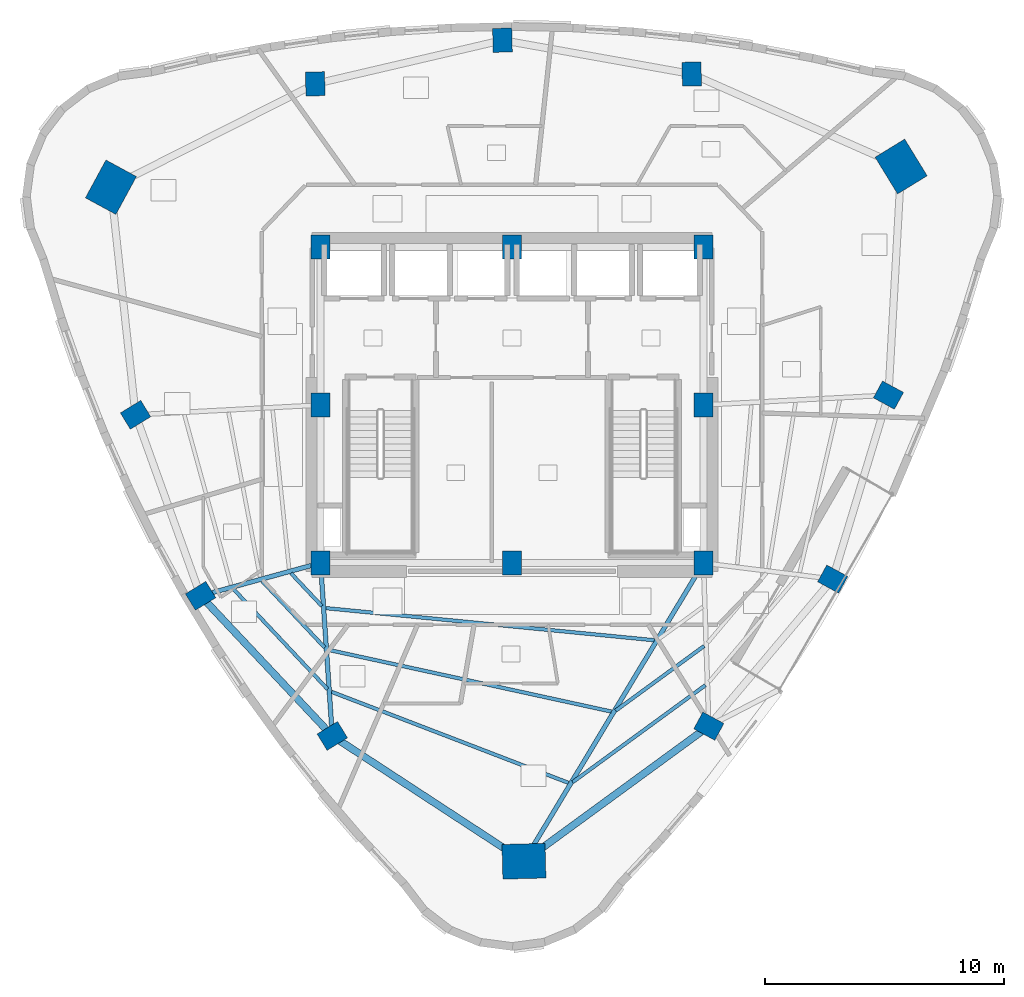
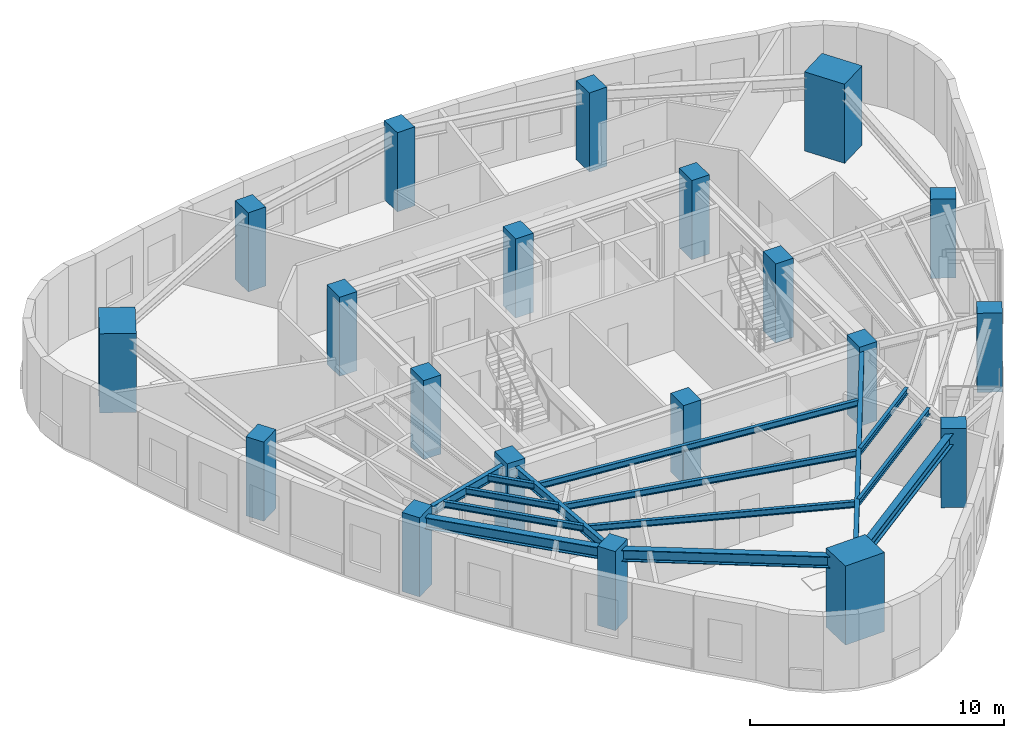
# One storey, part 1 of 12: 20 columns, 14 beams.
"""IFC4 building model written with IfcOpenShell, lengths in metres."""

from ifc_helpers import new_model, si_unit, direction, frame, origin, origin_2d, place, context, subcontext, project, spatial, rectangle, i_section, extrude, material, material_profile, profile_set, type_object, element, save


model = new_model("IFC4")

# Units and contexts
model_context = context("Model", 3, precision=1e-05, world=origin(), true_north=direction((0.0, 1.0)))
body_context = subcontext(model_context, "Body", "Model", "MODEL_VIEW")
ifc_project = project(units=[si_unit("LENGTHUNIT", "METRE"), si_unit("AREAUNIT", "SQUARE_METRE"), si_unit("VOLUMEUNIT", "CUBIC_METRE"), si_unit("PLANEANGLEUNIT", "RADIAN"), si_unit("MASSUNIT", "GRAM", prefix="KILO")], contexts=[model_context])

# Site, building, storey
site_placement = place(None, origin())
site = spatial("IfcSite", under=ifc_project, at=site_placement, CompositionType="ELEMENT")
building_placement = place(site_placement, origin())
building = spatial("IfcBuilding", under=site, at=building_placement, Name="Ndelora Gate Hotel", CompositionType="ELEMENT")
storey_placement = place(building_placement, frame((0.0, 0.0, 209.35009765625)))
storey = spatial("IfcBuildingStorey", under=building, at=storey_placement, Name="L52", CompositionType="ELEMENT", Elevation=209.35009765625)

# Columns
ifc_material_1 = material(Name="Concrete C50/60", Category="concrete")
ifc_material_profile_1 = material_profile(ifc_material_1, rectangle(XDim=0.800048828125, YDim=1.0, at=origin_2d()), Name="RC 1000x800")
ifc_profile_set_1 = profile_set([ifc_material_profile_1], Name="Concrete C50/60")
column_type_1 = type_object("IfcColumnType", Name="COL-CC-HI", PredefinedType="COLUMN", material=ifc_profile_set_1)
for number, where, z_axis, x_axis, name in (
    (1, (-8.0, -6.60009765625, 0.0), (0.0, 0.0, 1.0), (1.0, 0.0, 0.0), "L52 Core Column CC1"),
    (2, (0.0, -6.60009765625, 0.0), (0.0, 0.0, 1.0), (1.0, 0.0, 0.0), "L52 Core Column CC2"),
    (3, (8.0, -6.60009765625, 0.0), (0.0, 0.0, 1.0), (1.0, 0.0, 0.0), "L52 Core Column CC3"),
    (4, (8.0, 0.0, 0.0), (0.0, 0.0, 1.0), (1.0, 0.0, 0.0), "L52 Core Column CC4"),
    (5, (8.0, 6.60009765625, 0.0), (0.0, 0.0, 1.0), (1.0, 0.0, 0.0), "L52 Core Column CC5"),
    (6, (0.0, 6.60009765625, 0.0), (0.0, 0.0, 1.0), (1.0, 0.0, 0.0), "L52 Core Column CC6"),
    (7, (-8.0, 6.60009765625, 0.0), (0.0, 0.0, 1.0), (1.0, 0.0, 0.0), "L52 Core Column CC7"),
    (8, (-8.0, 0.0, 0.0), (0.0, 0.0, 1.0), (1.0, 0.0, 0.0), "L52 Core Column CC8"),
):
    element("IfcColumn", number, at=place(storey_placement, frame(where, z_axis=z_axis, x_axis=x_axis)), inside=storey, type_object=column_type_1, Name=name, PredefinedType="COLUMN", context=body_context, shape_type="SweptSolid", body=[
        extrude(rectangle(XDim=0.800048828125, YDim=1.0, at=origin_2d()), origin(), (0.0, 0.0, 1.0), 3.7998046875),
    ])
ifc_material_profile_2 = material_profile(ifc_material_1, rectangle(XDim=1.449951171875, YDim=1.800048828125, at=origin_2d()), Name="RC 1800x1450")
ifc_profile_set_2 = profile_set([ifc_material_profile_2], Name="Concrete C50/60")
column_type_2 = type_object("IfcColumnType", Name="COL-MC-Z3", PredefinedType="COLUMN", material=ifc_profile_set_2)
for number, where, z_axis, x_axis, name in (
    (9, (-16.759521484375, 9.099609375, 0.0), (0.0, 0.0, 1.0), (-0.878817112662, 0.47715876026, 0.0), "L52 Corner Mega-Column R1"),
    (10, (0.499267578125, -19.064208984375, 0.0), (0.0, 0.0, 1.0), (-0.026176948308, 0.999657324976, 0.0), "L52 Corner Mega-Column R5"),
    (11, (16.26025390625, 9.96435546875, 0.0), (0.0, 0.0, 1.0), (0.852640164354, 0.522498564716, 0.0), "L52 Corner Mega-Column R9"),
):
    element("IfcColumn", number, at=place(storey_placement, frame(where, z_axis=z_axis, x_axis=x_axis)), inside=storey, type_object=column_type_2, Name=name, PredefinedType="COLUMN", context=body_context, shape_type="SweptSolid", body=[
        extrude(rectangle(XDim=1.449951171875, YDim=1.800048828125, at=origin_2d()), origin(), (0.0, 0.0, 1.0), 3.7998046875),
    ])
ifc_material_profile_3 = material_profile(ifc_material_1, rectangle(XDim=0.800048828125, YDim=1.0, at=origin_2d()), Name="RC 1000x800")
ifc_profile_set_3 = profile_set([ifc_material_profile_3], Name="Concrete C50/60")
column_type_3 = type_object("IfcColumnType", Name="COL-PT-Z3", PredefinedType="COLUMN", material=ifc_profile_set_3)
for number, where, z_axis, x_axis, name in (
    (12, (-15.72998046875, -0.411865234375, 0.0), (0.0, 0.0, 1.0), (-0.522498564716, 0.852640164354, 0.0), "L52 Perimeter Tube Column R2"),
    (13, (-13.011962890625, -7.973876953125, 0.0), (0.0, 0.0, 1.0), (-0.522498564716, 0.852640164354, 0.0), "L52 Perimeter Tube Column R3"),
    (14, (-7.50830078125, -13.828369140625, 0.0), (0.0, 0.0, 1.0), (-0.522498564716, 0.852640164354, 0.0), "L52 Perimeter Tube Column R4"),
    (15, (8.223876953125, -13.419921875, 0.0), (0.0, 0.0, 1.0), (0.47715876026, 0.878817112662, 0.0), "L52 Perimeter Tube Column R6"),
    (16, (13.400390625, -7.275634765625, 0.0), (0.0, 0.0, 1.0), (0.47715876026, 0.878817112662, 0.0), "L52 Perimeter Tube Column R7"),
    (17, (15.72998046875, 0.411865234375, 0.0), (0.0, 0.0, 1.0), (0.47715876026, 0.878817112662, 0.0), "L52 Perimeter Tube Column R8"),
    (18, (7.50830078125, 13.828369140625, 0.0), (0.0, 0.0, 1.0), (0.999657324976, 0.026176948308, 0.0), "L52 Perimeter Tube Column R10"),
    (19, (-0.399169921875, 15.242919921875, 0.0), (0.0, 0.0, 1.0), (0.999657324976, 0.026176948308, 0.0), "L52 Perimeter Tube Column R11"),
    (20, (-8.2216796875, 13.41650390625, 0.0), (0.0, 0.0, 1.0), (0.999657324976, 0.026176948308, 0.0), "L52 Perimeter Tube Column R12"),
):
    element("IfcColumn", number, at=place(storey_placement, frame(where, z_axis=z_axis, x_axis=x_axis)), inside=storey, type_object=column_type_3, Name=name, PredefinedType="COLUMN", context=body_context, shape_type="SweptSolid", body=[
        extrude(rectangle(XDim=0.800048828125, YDim=1.0, at=origin_2d()), origin(), (0.0, 0.0, 1.0), 3.7998046875),
    ])

# Beams
ifc_material_2 = material(Name="Steel S355", Category="steel")
ifc_material_profile_4 = material_profile(ifc_material_2, i_section(OverallWidth=0.14990234375, OverallDepth=0.300048828125, WebThickness=0.007080078125, FlangeThickness=0.0107421875, FilletRadius=0.014892578125, at=origin_2d()), Name="IPE 300")
ifc_profile_set_4 = profile_set([ifc_material_profile_4], Name="Steel S355")
beam_type_1 = type_object("IfcBeamType", Name="BM-JST-300", PredefinedType="JOIST", material=ifc_profile_set_4)
beam_1_placement = place(storey_placement, frame((-9.231201171875, -7.03369140625, 3.39990234375), z_axis=(0.684943115963, -0.728596546722, 0.0), x_axis=(0.728596546722, 0.684943115963, 0.0)))
element("IfcBeam", 21, at=beam_1_placement, inside=storey, type_object=beam_type_1, Name="L52 Secondary Composite Floor Joist IN-3", PredefinedType="JOIST", context=body_context, shape_type="SweptSolid", body=[
    extrude(i_section(OverallWidth=0.14990234375, OverallDepth=0.300048828125, WebThickness=0.007080078125, FlangeThickness=0.0107421875, FilletRadius=0.014892578125, at=origin_2d()), origin(), (0.0, 0.0, 1.0), 1.879150390625),
])
beam_2_placement = place(storey_placement, frame((-10.43408203125, -7.36328125, 3.39990234375), z_axis=(0.684938600536, -0.728600791584, 0.0), x_axis=(0.728600791584, 0.684938600536, 0.0)))
element("IfcBeam", 22, at=beam_2_placement, inside=storey, type_object=beam_type_1, Name="L52 Secondary Composite Floor Joist MID-3", PredefinedType="JOIST", context=body_context, shape_type="SweptSolid", body=[
    extrude(i_section(OverallWidth=0.14990234375, OverallDepth=0.300048828125, WebThickness=0.007080078125, FlangeThickness=0.0107421875, FilletRadius=0.014892578125, at=origin_2d()), origin(), (0.0, 0.0, 1.0), 3.807861328125),
])
beam_3_placement = place(storey_placement, frame((-11.636962890625, -7.693115234375, 3.39990234375), z_axis=(0.68493576734, -0.728603454986, 0.0), x_axis=(0.728603454986, 0.68493576734, 0.0)))
element("IfcBeam", 23, at=beam_3_placement, inside=storey, type_object=beam_type_1, Name="L52 Secondary Composite Floor Joist OUT-3", PredefinedType="JOIST", context=body_context, shape_type="SweptSolid", body=[
    extrude(i_section(OverallWidth=0.14990234375, OverallDepth=0.300048828125, WebThickness=0.007080078125, FlangeThickness=0.0107421875, FilletRadius=0.014892578125, at=origin_2d()), origin(), (0.0, 0.0, 1.0), 5.736328125),
])
beam_4_placement = place(storey_placement, frame((-7.767578125, -8.489501953125, 3.39990234375), z_axis=(0.995253727902, -0.097314012848, 0.0), x_axis=(0.097314012848, 0.995253727902, 0.0)))
element("IfcBeam", 24, at=beam_4_placement, inside=storey, type_object=beam_type_1, Name="L52 Secondary Composite Floor Joist IN-4", PredefinedType="JOIST", context=body_context, shape_type="SweptSolid", body=[
    extrude(i_section(OverallWidth=0.14990234375, OverallDepth=0.300048828125, WebThickness=0.007080078125, FlangeThickness=0.0107421875, FilletRadius=0.014892578125, at=origin_2d()), origin(), (0.0, 0.0, 1.0), 13.7783203125),
])
beam_5_placement = place(storey_placement, frame((-7.651611328125, -10.236572265625, 3.39990234375), z_axis=(0.977032906758, -0.213088477191, 0.0), x_axis=(0.213088477191, 0.977032906758, 0.0)))
element("IfcBeam", 25, at=beam_5_placement, inside=storey, type_object=beam_type_1, Name="L52 Secondary Composite Floor Joist MID-4", PredefinedType="JOIST", context=body_context, shape_type="SweptSolid", body=[
    extrude(i_section(OverallWidth=0.14990234375, OverallDepth=0.300048828125, WebThickness=0.007080078125, FlangeThickness=0.0107421875, FilletRadius=0.014892578125, at=origin_2d()), origin(), (0.0, 0.0, 1.0), 12.075927734375),
])
beam_6_placement = place(storey_placement, frame((-7.5380859375, -11.98681640625, 3.39990234375), z_axis=(0.933489266504, -0.358605339227, 0.0), x_axis=(0.358605339227, 0.933489266504, 0.0)))
element("IfcBeam", 26, at=beam_6_placement, inside=storey, type_object=beam_type_1, Name="L52 Secondary Composite Floor Joist OUT-4", PredefinedType="JOIST", context=body_context, shape_type="SweptSolid", body=[
    extrude(i_section(OverallWidth=0.14990234375, OverallDepth=0.300048828125, WebThickness=0.007080078125, FlangeThickness=0.0107421875, FilletRadius=0.014892578125, at=origin_2d()), origin(), (0.0, 0.0, 1.0), 10.593994140625),
])
beam_7_placement = place(storey_placement, frame((4.33447265625, -12.77001953125, 3.39990234375), z_axis=(0.807439047151, 0.589951002318, 0.0), x_axis=(-0.589951002318, 0.807439047151, 0.0)))
element("IfcBeam", 27, at=beam_7_placement, inside=storey, type_object=beam_type_1, Name="L52 Secondary Composite Floor Joist MID-5", PredefinedType="JOIST", context=body_context, shape_type="SweptSolid", body=[
    extrude(i_section(OverallWidth=0.14990234375, OverallDepth=0.300048828125, WebThickness=0.007080078125, FlangeThickness=0.0107421875, FilletRadius=0.014892578125, at=origin_2d()), origin(), (0.0, 0.0, 1.0), 4.5732421875),
])
beam_8_placement = place(storey_placement, frame((2.5341796875, -15.761474609375, 3.39990234375), z_axis=(0.807430841486, 0.589962232874, 0.0), x_axis=(-0.589962232874, 0.807430841486, 0.0)))
element("IfcBeam", 28, at=beam_8_placement, inside=storey, type_object=beam_type_1, Name="L52 Secondary Composite Floor Joist OUT-5", PredefinedType="JOIST", context=body_context, shape_type="SweptSolid", body=[
    extrude(i_section(OverallWidth=0.14990234375, OverallDepth=0.300048828125, WebThickness=0.007080078125, FlangeThickness=0.0107421875, FilletRadius=0.014892578125, at=origin_2d()), origin(), (0.0, 0.0, 1.0), 6.869384765625),
])
ifc_material_profile_5 = material_profile(ifc_material_2, i_section(OverallWidth=0.18994140625, OverallDepth=0.449951171875, WebThickness=0.009521484375, FlangeThickness=0.0146484375, FilletRadius=0.02099609375, at=origin_2d()), Name="IPE 450")
ifc_profile_set_5 = profile_set([ifc_material_profile_5], Name="Steel S355")
beam_type_2 = type_object("IfcBeamType", Name="BM-RAD-450", PredefinedType="BEAM", material=ifc_profile_set_5)
beam_9_placement = place(storey_placement, frame((-8.0, -6.60009765625, 3.324951171875), z_axis=(-0.96442695542, -0.264349480157, 0.0), x_axis=(0.264349480157, -0.96442695542, 0.0)))
element("IfcBeam", 29, at=beam_9_placement, inside=storey, type_object=beam_type_2, Name="L52 Radial Floor Girder 3", PredefinedType="BEAM", context=body_context, shape_type="SweptSolid", body=[
    extrude(i_section(OverallWidth=0.18994140625, OverallDepth=0.449951171875, WebThickness=0.009521484375, FlangeThickness=0.0146484375, FilletRadius=0.02099609375, at=origin_2d()), origin(), (0.0, 0.0, 1.0), 5.19677734375),
])
beam_10_placement = place(storey_placement, frame((-8.0, -6.60009765625, 3.324951171875), z_axis=(0.067867612113, -0.997694335569, 0.0), x_axis=(0.997694335569, 0.067867612113, 0.0)))
element("IfcBeam", 30, at=beam_10_placement, inside=storey, type_object=beam_type_2, Name="L52 Radial Floor Girder 4", PredefinedType="BEAM", context=body_context, shape_type="SweptSolid", body=[
    extrude(i_section(OverallWidth=0.18994140625, OverallDepth=0.449951171875, WebThickness=0.009521484375, FlangeThickness=0.0146484375, FilletRadius=0.02099609375, at=origin_2d()), origin(), (0.0, 0.0, 1.0), 7.244873046875),
])
beam_11_placement = place(storey_placement, frame((8.0, -6.60009765625, 3.324951171875), z_axis=(-0.515620753203, -0.856816922607, 0.0), x_axis=(0.856816922607, -0.515620753203, 0.0)))
element("IfcBeam", 31, at=beam_11_placement, inside=storey, type_object=beam_type_2, Name="L52 Radial Floor Girder 5", PredefinedType="BEAM", context=body_context, shape_type="SweptSolid", body=[
    extrude(i_section(OverallWidth=0.18994140625, OverallDepth=0.449951171875, WebThickness=0.009521484375, FlangeThickness=0.0146484375, FilletRadius=0.02099609375, at=origin_2d()), origin(), (0.0, 0.0, 1.0), 14.546875),
])
ifc_material_profile_6 = material_profile(ifc_material_2, i_section(OverallWidth=0.300048828125, OverallDepth=0.550048828125, WebThickness=0.014892578125, FlangeThickness=0.029052734375, FilletRadius=0.027099609375, at=origin_2d()), Name="HEB 550")
ifc_profile_set_6 = profile_set([ifc_material_profile_6], Name="Steel S355")
beam_type_3 = type_object("IfcBeamType", Name="BM-RING-550", PredefinedType="SPANDREL", material=ifc_profile_set_6)
beam_12_placement = place(storey_placement, frame((-13.011962890625, -7.973876953125, 3.27490234375), z_axis=(0.684939043371, -0.728600375285, 0.0), x_axis=(0.728600375285, 0.684939043371, 0.0)))
element("IfcBeam", 32, at=beam_12_placement, inside=storey, type_object=beam_type_3, Name="L52 Perimeter Spandrel Girder 3", PredefinedType="SPANDREL", context=body_context, shape_type="SweptSolid", body=[
    extrude(i_section(OverallWidth=0.300048828125, OverallDepth=0.550048828125, WebThickness=0.014892578125, FlangeThickness=0.029052734375, FilletRadius=0.027099609375, at=origin_2d()), origin(), (0.0, 0.0, 1.0), 8.03515625),
])
beam_13_placement = place(storey_placement, frame((-7.50830078125, -13.828369140625, 3.27490234375), z_axis=(0.836963769915, -0.547258300851, 0.0), x_axis=(0.547258300851, 0.836963769915, 0.0)))
element("IfcBeam", 33, at=beam_13_placement, inside=storey, type_object=beam_type_3, Name="L52 Perimeter Spandrel Girder 4", PredefinedType="SPANDREL", context=body_context, shape_type="SweptSolid", body=[
    extrude(i_section(OverallWidth=0.300048828125, OverallDepth=0.550048828125, WebThickness=0.014892578125, FlangeThickness=0.029052734375, FilletRadius=0.027099609375, at=origin_2d()), origin(), (0.0, 0.0, 1.0), 9.5673828125),
])
beam_14_placement = place(storey_placement, frame((0.499267578125, -19.064208984375, 3.27490234375), z_axis=(0.807421980226, 0.58997436033, 0.0), x_axis=(-0.58997436033, 0.807421980226, 0.0)))
element("IfcBeam", 34, at=beam_14_placement, inside=storey, type_object=beam_type_3, Name="L52 Perimeter Spandrel Girder 5", PredefinedType="SPANDREL", context=body_context, shape_type="SweptSolid", body=[
    extrude(i_section(OverallWidth=0.300048828125, OverallDepth=0.550048828125, WebThickness=0.014892578125, FlangeThickness=0.029052734375, FilletRadius=0.027099609375, at=origin_2d()), origin(), (0.0, 0.0, 1.0), 9.56689453125),
])

save(model, "model.ifc")
